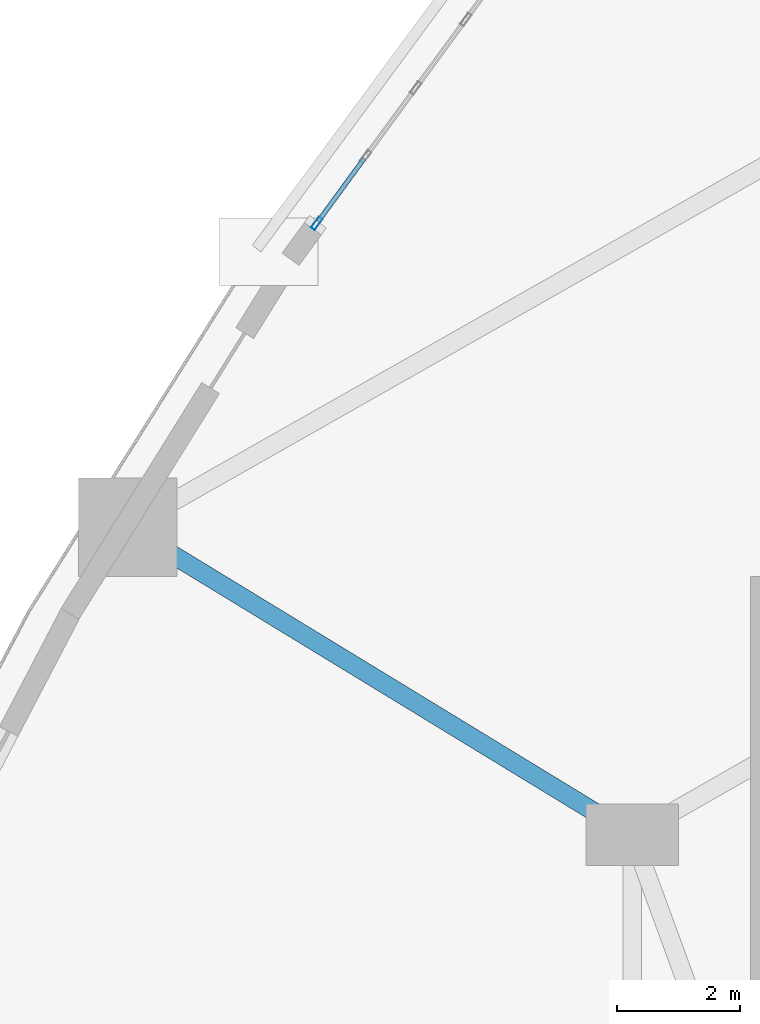
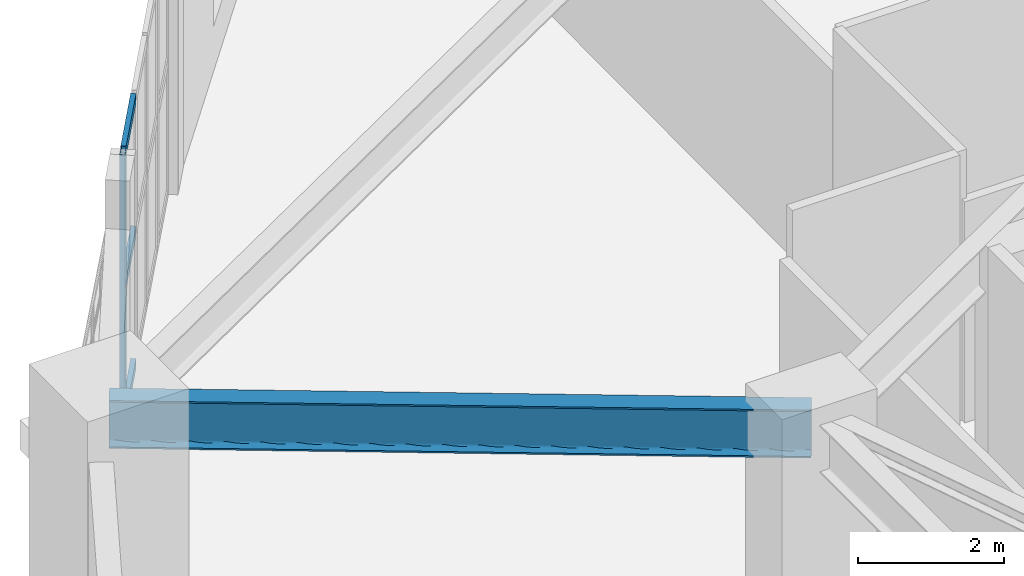
# One storey, part 6 of 23: 4 members, 1 beam, 1 element without a shape of its own.
"""IFC4 building model written with IfcOpenShell, lengths in metres."""

from ifc_helpers import new_model, si_unit, direction, frame, origin, origin_2d, place, context, subcontext, project, spatial, hollow_rectangle, i_section, extrude, material, layer, layer_set, material_profile, profile_set, type_object, element, aggregate, save


model = new_model("IFC4")

# Units and contexts
model_context = context("Model", 3, precision=1e-05, world=origin(), true_north=direction((0.0, 1.0)))
body_context = subcontext(model_context, "Body", "Model", "MODEL_VIEW")
ifc_project = project(units=[si_unit("LENGTHUNIT", "METRE"), si_unit("AREAUNIT", "SQUARE_METRE"), si_unit("VOLUMEUNIT", "CUBIC_METRE"), si_unit("PLANEANGLEUNIT", "RADIAN"), si_unit("MASSUNIT", "GRAM", prefix="KILO")], contexts=[model_context])

# Site, building, storey
site_placement = place(None, origin())
site = spatial("IfcSite", under=ifc_project, at=site_placement, CompositionType="ELEMENT")
building_placement = place(site_placement, origin())
building = spatial("IfcBuilding", under=site, at=building_placement, Name="Miruveldt Soraemaru", CompositionType="ELEMENT")
storey_placement = place(building_placement, frame((0.0, 0.0, 14.39990234375)))
storey = spatial("IfcBuildingStorey", under=building, at=storey_placement, Name="L04", CompositionType="ELEMENT", Elevation=14.39990234375)

# Beam
ifc_material_1 = material(Name="Steel S460 (460 MPa)", Category="steel")
ifc_material_profile_1 = material_profile(ifc_material_1, i_section(OverallWidth=0.300048828125, OverallDepth=0.800048828125, WebThickness=0.013916015625, FlangeThickness=0.02587890625, FilletRadius=0.028076171875, at=origin_2d()), Name="Steel S460 (460 MPa)", Category="steel")
ifc_profile_set_1 = profile_set([ifc_material_profile_1], Name="Steel S460 (460 MPa)")
beam_type = type_object("IfcBeamType", Name="BM-ST-H800", PredefinedType="BEAM", material=ifc_profile_set_1)
beam_placement = place(storey_placement, frame((31.39990234375, 50.39990234375, 4.10009765625), z_axis=(-0.853794797843, 0.520609684098, 0.0), x_axis=(-0.520609684098, -0.853794797843, 0.0)))
element("IfcBeam", 1, at=beam_placement, inside=storey, type_object=beam_type, Name="L04 Podium Radial Girder 6", PredefinedType="BEAM", context=body_context, shape_type="SweptSolid", body=[
    extrude(i_section(OverallWidth=0.300048828125, OverallDepth=0.800048828125, WebThickness=0.013916015625, FlangeThickness=0.02587890625, FilletRadius=0.028076171875, at=origin_2d()), origin(), (0.0, 0.0, 1.0), 9.60400390625),
])

# Curtain wall, members
ifc_material_2 = material(Name="Anodised aluminium EN AW-6063 T6", Category="aluminium")
ifc_layer = layer(ifc_material_2, 0.219970703125, Name="Anodised aluminium EN AW-6063 T6", Category="aluminium")
ifc_layer_set = layer_set([ifc_layer], Name="Anodised aluminium EN AW-6063 T6")
curtain_wall_type = type_object("IfcCurtainWallType", Name="CW-SYS-2", PredefinedType="USERDEFINED", material=ifc_layer_set)
curtain_wall_placement = place(storey_placement, origin())
curtain_wall = element("IfcCurtainWall", 2, at=curtain_wall_placement, inside=storey, type_object=curtain_wall_type, Name="L04 Curtain Wall Bay 9", ObjectType="STOREFRONT", PredefinedType="USERDEFINED")
ifc_material_profile_2 = material_profile(ifc_material_2, hollow_rectangle(XDim=0.074951171875, YDim=0.219970703125, WallThickness=0.0048828125, at=origin_2d()), Name="Anodised aluminium EN AW-6063 T6", Category="aluminium")
ifc_profile_set_2 = profile_set([ifc_material_profile_2], Name="Anodised aluminium EN AW-6063 T6")
member_type_1 = type_object("IfcMemberType", Name="CWM-2", PredefinedType="MULLION", material=ifc_profile_set_2)
member_1_placement = place(storey_placement, frame((26.273193359375, 60.338623046875, 0.0), z_axis=(0.0, 0.0, 1.0), x_axis=(0.807242449767, -0.590219982121, 0.0)))
member_1 = element("IfcMember", 3, at=member_1_placement, type_object=member_type_1, Name="CW-2 mullion 5", PredefinedType="MULLION", context=body_context, shape_type="SweptSolid", body=[
    extrude(hollow_rectangle(XDim=0.074951171875, YDim=0.219970703125, WallThickness=0.0048828125, at=origin_2d()), origin(), (0.0, 0.0, 1.0), 4.5),
])
ifc_material_profile_3 = material_profile(ifc_material_2, hollow_rectangle(XDim=0.074951171875, YDim=0.1650390625, WallThickness=0.00390625, at=origin_2d()), Name="Anodised aluminium EN AW-6063 T6", Category="aluminium")
ifc_profile_set_3 = profile_set([ifc_material_profile_3], Name="Anodised aluminium EN AW-6063 T6")
member_type_2 = type_object("IfcMemberType", Name="CWT-2", PredefinedType="USERDEFINED", material=ifc_profile_set_3)
member_2_placement = place(storey_placement, frame((27.043701171875, 61.392333984375, 0.03759765625), z_axis=(-0.590219351541, -0.807242910819, 0.0), x_axis=(0.807242910819, -0.590219351541, 0.0)))
member_2 = element("IfcMember", 4, at=member_2_placement, type_object=member_type_2, Name="CW-2 transom 4.1", ObjectType="TRANSOM", PredefinedType="USERDEFINED", context=body_context, shape_type="SweptSolid", body=[
    extrude(hollow_rectangle(XDim=0.074951171875, YDim=0.1650390625, WallThickness=0.00390625, at=origin_2d()), origin(), (0.0, 0.0, 1.0), 1.267822265625),
])
member_3_placement = place(storey_placement, frame((27.043701171875, 61.392333984375, 2.25), z_axis=(-0.590219351541, -0.807242910819, 0.0), x_axis=(0.807242910819, -0.590219351541, 0.0)))
member_3 = element("IfcMember", 5, at=member_3_placement, type_object=member_type_2, Name="CW-2 transom 4.2", ObjectType="TRANSOM", PredefinedType="USERDEFINED", context=body_context, shape_type="SweptSolid", body=[
    extrude(hollow_rectangle(XDim=0.074951171875, YDim=0.1650390625, WallThickness=0.00390625, at=origin_2d()), origin(), (0.0, 0.0, 1.0), 1.267822265625),
])
member_4_placement = place(storey_placement, frame((27.043701171875, 61.392333984375, 4.462646484375), z_axis=(-0.590219351541, -0.807242910819, 0.0), x_axis=(0.807242910819, -0.590219351541, 0.0)))
member_4 = element("IfcMember", 6, at=member_4_placement, type_object=member_type_2, Name="CW-2 transom 4.3", ObjectType="TRANSOM", PredefinedType="USERDEFINED", context=body_context, shape_type="SweptSolid", body=[
    extrude(hollow_rectangle(XDim=0.074951171875, YDim=0.1650390625, WallThickness=0.00390625, at=origin_2d()), origin(), (0.0, 0.0, 1.0), 1.267822265625),
])
aggregate(curtain_wall, [member_1, member_2, member_3, member_4])

save(model, "model.ifc")
